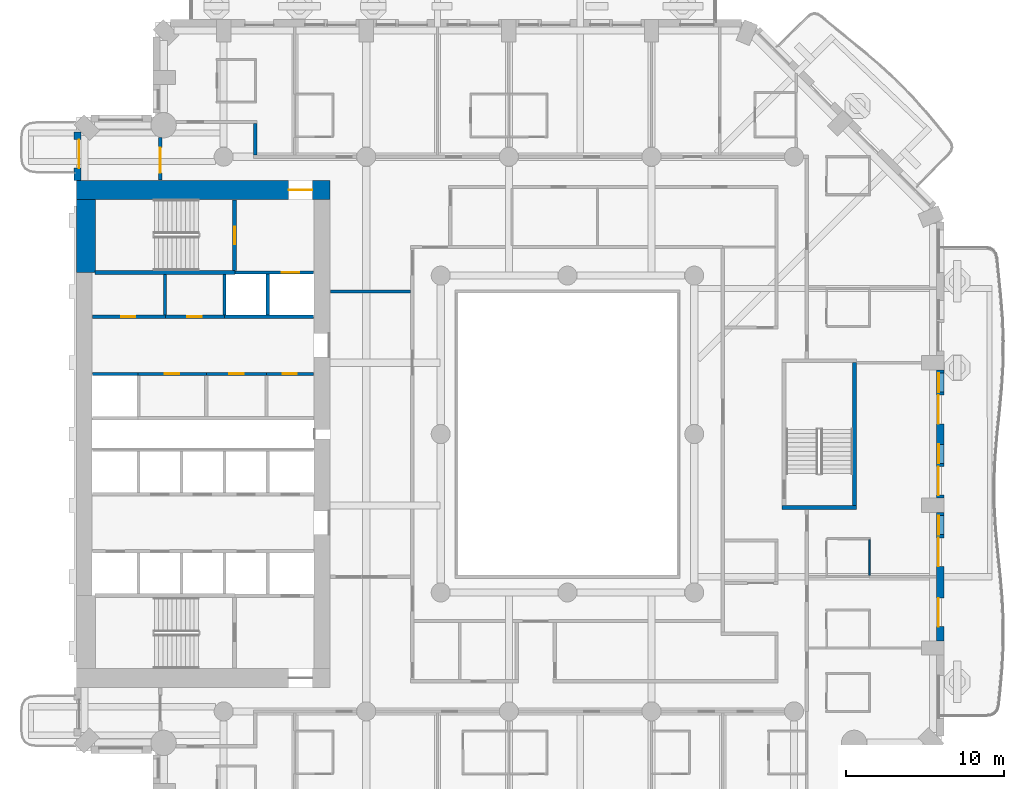
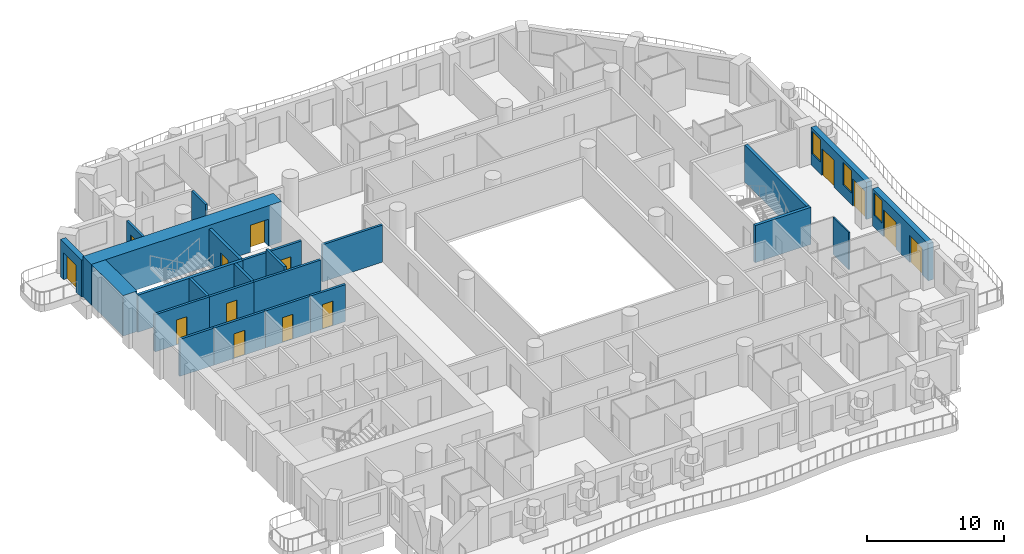
# One storey, part 7 of 20: 24 walls, 14 doors, 3 windows, 17 openings.
"""IFC4 building model written with IfcOpenShell, lengths in metres."""

from ifc_helpers import new_model, si_unit, direction, frame, frame_2d, origin, place, context, subcontext, project, spatial, rectangle, extrude, material, layer, layer_set, type_object, element, fill, save


model = new_model("IFC4")

# Units and contexts
model_context = context("Model", 3, precision=1e-05, world=origin(), true_north=direction((0.0, 1.0)))
body_context = subcontext(model_context, "Body", "Model", "MODEL_VIEW")
ifc_project = project(units=[si_unit("LENGTHUNIT", "METRE"), si_unit("AREAUNIT", "SQUARE_METRE"), si_unit("VOLUMEUNIT", "CUBIC_METRE"), si_unit("PLANEANGLEUNIT", "RADIAN"), si_unit("MASSUNIT", "GRAM", prefix="KILO")], contexts=[model_context])

# Site, building, storey
site_placement = place(None, origin())
site = spatial("IfcSite", under=ifc_project, at=site_placement, CompositionType="ELEMENT")
building_placement = place(site_placement, origin())
building = spatial("IfcBuilding", under=site, at=building_placement, Name="Cypress Arch Tower", CompositionType="ELEMENT")
storey_placement = place(building_placement, frame((0.0, 0.0, 91.5)))
storey = spatial("IfcBuildingStorey", under=building, at=storey_placement, Name="L17", CompositionType="ELEMENT", Elevation=91.5)

# Wall, opening, door
ifc_material_1 = material(Name="Brick (red buff blend)", Category="masonry")
ifc_layer_1 = layer(ifc_material_1, 0.449951171875)
ifc_layer_set_1 = layer_set([ifc_layer_1], Name="Brick pier and spandrel wall BW450")
wall_type_1 = type_object("IfcWallType", Name="Brick pier and spandrel wall BW450", PredefinedType="SOLIDWALL", material=ifc_layer_set_1)
wall_1_placement = place(storey_placement, frame((-29.925048828125, 19.063720703125, 0.0), z_axis=(0.0, 0.0, 1.0), x_axis=(0.0, -1.0, 0.0)))
wall_1 = element("IfcWall", 1, at=wall_1_placement, inside=storey, type_object=wall_type_1, Name="Brick wall L17 A00.0", PredefinedType="SOLIDWALL", context=body_context, shape_type="SweptSolid", body=[
    extrude(rectangle(XDim=3.063720703125, YDim=0.449951171875, at=frame_2d((1.53173828125, 0.0))), origin(), (0.0, 0.0, 1.0), 3.300048828125),
])
opening_1_placement = place(wall_1_placement, frame((0.481689453125, 0.0, 0.0)))
opening_1 = element("IfcOpeningElement", 2, at=opening_1_placement, cuts=wall_1, Name="Opening D-L17-A00.0.1", PredefinedType="OPENING", context=body_context, shape_type="SweptSolid", body=[
    extrude(rectangle(XDim=1.800048828125, YDim=2.39990234375, at=frame_2d((0.89990234375, 1.199951171875))), frame((0.0, 0.23486328125, 0.0), z_axis=(0.0, -1.0, 0.0), x_axis=(1.0, 0.0, 0.0)), (0.0, 0.0, 1.0), 0.469970703125),
])
ifc_material_2 = material(Name="Anodised aluminium, bronze finish, laminated low-emissivity double glazing, large-missile impact rated", Category="aluminium")
door_type_1 = type_object("IfcDoorType", Name="Balcony sliding door 1800x2400", OperationType="SLIDING_TO_LEFT", PredefinedType="DOOR", material=ifc_material_2)
door_1_placement = place(opening_1_placement, origin())
door_1 = element("IfcDoor", 3, at=door_1_placement, inside=storey, type_object=door_type_1, Name="Balcony door L17 A00.0.1", OperationType="SLIDING_TO_LEFT", OverallHeight=2.39990234375, OverallWidth=1.800048828125, PredefinedType="DOOR", context=body_context, shape_type="SweptSolid", body=[
    extrude(rectangle(XDim=1.800048828125, YDim=2.39990234375, at=frame_2d((0.89990234375, 1.199951171875))), frame((0.0, 0.1298828125, 0.0), z_axis=(0.0, -1.0, 0.0), x_axis=(1.0, 0.0, 0.0)), (0.0, 0.0, 1.0), 0.050048828125),
])
fill(opening_1, door_1)

# Wall, openings, doors, window
wall_2_placement = place(storey_placement, frame((24.52490234375, -13.050048828125, 0.0), z_axis=(0.0, 0.0, 1.0), x_axis=(0.0, 1.0, 0.0)))
wall_2 = element("IfcWall", 4, at=wall_2_placement, inside=storey, type_object=wall_type_1, Name="Brick wall L17 A06.1", PredefinedType="SOLIDWALL", context=body_context, shape_type="SweptSolid", body=[
    extrude(rectangle(XDim=8.10009765625, YDim=0.449951171875, at=frame_2d((4.050048828125, 0.0))), origin(), (0.0, 0.0, 1.0), 3.300048828125),
])
opening_2_placement = place(wall_2_placement, frame((0.89990234375, 0.0, 0.0)))
opening_2 = element("IfcOpeningElement", 5, at=opening_2_placement, cuts=wall_2, Name="Opening D-L17-A06.1.1", PredefinedType="OPENING", context=body_context, shape_type="SweptSolid", body=[
    extrude(rectangle(XDim=1.800048828125, YDim=2.39990234375, at=frame_2d((0.89990234375, 1.199951171875))), frame((0.0, 0.23486328125, 0.0), z_axis=(0.0, -1.0, 0.0), x_axis=(1.0, 0.0, 0.0)), (0.0, 0.0, 1.0), 0.469970703125),
])
opening_3_placement = place(wall_2_placement, frame((4.699951171875, 0.0, 0.0)))
opening_3 = element("IfcOpeningElement", 6, at=opening_3_placement, cuts=wall_2, Name="Opening D-L17-A06.1.2", PredefinedType="OPENING", context=body_context, shape_type="SweptSolid", body=[
    extrude(rectangle(XDim=1.800048828125, YDim=2.39990234375, at=frame_2d((0.89990234375, 1.199951171875))), frame((0.0, 0.23486328125, 0.0), z_axis=(0.0, -1.0, 0.0), x_axis=(1.0, 0.0, 0.0)), (0.0, 0.0, 1.0), 0.469970703125),
])
opening_4_placement = place(wall_2_placement, frame((6.699951171875, 0.0, 1.050048828125)))
opening_4 = element("IfcOpeningElement", 7, at=opening_4_placement, cuts=wall_2, Name="Opening W120HD", PredefinedType="OPENING", context=body_context, shape_type="SweptSolid", body=[
    extrude(rectangle(XDim=1.199951171875, YDim=2.0, at=frame_2d((0.60009765625, 1.0))), frame((0.0, 0.23486328125, 0.0), z_axis=(0.0, -1.0, 0.0), x_axis=(1.0, 0.0, 0.0)), (0.0, 0.0, 1.0), 0.469970703125),
])
door_2_placement = place(opening_2_placement, origin())
door_2 = element("IfcDoor", 8, at=door_2_placement, inside=storey, type_object=door_type_1, Name="Balcony door L17 A06.1.1", OperationType="SLIDING_TO_LEFT", OverallHeight=2.39990234375, OverallWidth=1.800048828125, PredefinedType="DOOR", context=body_context, shape_type="SweptSolid", body=[
    extrude(rectangle(XDim=1.800048828125, YDim=2.39990234375, at=frame_2d((0.89990234375, 1.199951171875))), frame((0.0, 0.1298828125, 0.0), z_axis=(0.0, -1.0, 0.0), x_axis=(1.0, 0.0, 0.0)), (0.0, 0.0, 1.0), 0.050048828125),
])
fill(opening_2, door_2)
door_3_placement = place(opening_3_placement, origin())
door_3 = element("IfcDoor", 9, at=door_3_placement, inside=storey, type_object=door_type_1, Name="Balcony door L17 A06.1.2", OperationType="SLIDING_TO_LEFT", OverallHeight=2.39990234375, OverallWidth=1.800048828125, PredefinedType="DOOR", context=body_context, shape_type="SweptSolid", body=[
    extrude(rectangle(XDim=1.800048828125, YDim=2.39990234375, at=frame_2d((0.89990234375, 1.199951171875))), frame((0.0, 0.1298828125, 0.0), z_axis=(0.0, -1.0, 0.0), x_axis=(1.0, 0.0, 0.0)), (0.0, 0.0, 1.0), 0.050048828125),
])
fill(opening_3, door_3)
ifc_material_3 = material(Name="Anodised aluminium, bronze finish, laminated low-emissivity double glazing, large-missile impact rated", Category="aluminium")
window_type = type_object("IfcWindowType", Name="Window Hotel 1200x2000 debris-rated", PartitioningType="SINGLE_PANEL", PredefinedType="WINDOW", material=ifc_material_3)
window_1_placement = place(opening_4_placement, origin())
window_1 = element("IfcWindow", 10, at=window_1_placement, inside=storey, type_object=window_type, Name="Window L17 A06.1.2", OverallHeight=2.0, OverallWidth=1.199951171875, PartitioningType="SINGLE_PANEL", PredefinedType="WINDOW", context=body_context, shape_type="SweptSolid", body=[
    extrude(rectangle(XDim=1.199951171875, YDim=2.0, at=frame_2d((0.60009765625, 1.0))), frame((0.0, 0.135009765625, 0.0), z_axis=(0.0, -1.0, 0.0), x_axis=(1.0, 0.0, 0.0)), (0.0, 0.0, 1.0), 0.06005859375),
])
fill(opening_4, window_1)

# Wall, openings, doors, windows
wall_3_placement = place(storey_placement, frame((24.52490234375, -4.050048828125, 0.0), z_axis=(0.0, 0.0, 1.0), x_axis=(0.0, 1.0, 0.0)))
wall_3 = element("IfcWall", 11, at=wall_3_placement, inside=storey, type_object=wall_type_1, Name="Brick wall L17 A06.2", PredefinedType="SOLIDWALL", context=body_context, shape_type="SweptSolid", body=[
    extrude(rectangle(XDim=8.10009765625, YDim=0.449951171875, at=frame_2d((4.050048828125, 0.0))), origin(), (0.0, 0.0, 1.0), 3.300048828125),
])
opening_5_placement = place(wall_3_placement, frame((0.199951171875, 0.0, 0.0)))
opening_5 = element("IfcOpeningElement", 12, at=opening_5_placement, cuts=wall_3, Name="Opening D-L17-A06.2.1", PredefinedType="OPENING", context=body_context, shape_type="SweptSolid", body=[
    extrude(rectangle(XDim=1.800048828125, YDim=2.39990234375, at=frame_2d((0.89990234375, 1.199951171875))), frame((0.0, 0.23486328125, 0.0), z_axis=(0.0, -1.0, 0.0), x_axis=(1.0, 0.0, 0.0)), (0.0, 0.0, 1.0), 0.469970703125),
])
opening_6_placement = place(wall_3_placement, frame((2.199951171875, 0.0, 1.050048828125)))
opening_6 = element("IfcOpeningElement", 13, at=opening_6_placement, cuts=wall_3, Name="Opening W120HD", PredefinedType="OPENING", context=body_context, shape_type="SweptSolid", body=[
    extrude(rectangle(XDim=1.199951171875, YDim=2.0, at=frame_2d((0.60009765625, 1.0))), frame((0.0, 0.23486328125, 0.0), z_axis=(0.0, -1.0, 0.0), x_axis=(1.0, 0.0, 0.0)), (0.0, 0.0, 1.0), 0.469970703125),
])
opening_7_placement = place(wall_3_placement, frame((4.699951171875, 0.0, 0.0)))
opening_7 = element("IfcOpeningElement", 14, at=opening_7_placement, cuts=wall_3, Name="Opening D-L17-A06.2.2", PredefinedType="OPENING", context=body_context, shape_type="SweptSolid", body=[
    extrude(rectangle(XDim=1.800048828125, YDim=2.39990234375, at=frame_2d((0.89990234375, 1.199951171875))), frame((0.0, 0.23486328125, 0.0), z_axis=(0.0, -1.0, 0.0), x_axis=(1.0, 0.0, 0.0)), (0.0, 0.0, 1.0), 0.469970703125),
])
opening_8_placement = place(wall_3_placement, frame((6.699951171875, 0.0, 1.050048828125)))
opening_8 = element("IfcOpeningElement", 15, at=opening_8_placement, cuts=wall_3, Name="Opening W120HD", PredefinedType="OPENING", context=body_context, shape_type="SweptSolid", body=[
    extrude(rectangle(XDim=1.199951171875, YDim=2.0, at=frame_2d((0.60009765625, 1.0))), frame((0.0, 0.23486328125, 0.0), z_axis=(0.0, -1.0, 0.0), x_axis=(1.0, 0.0, 0.0)), (0.0, 0.0, 1.0), 0.469970703125),
])
door_4_placement = place(opening_5_placement, origin())
door_4 = element("IfcDoor", 16, at=door_4_placement, inside=storey, type_object=door_type_1, Name="Balcony door L17 A06.2.1", OperationType="SLIDING_TO_LEFT", OverallHeight=2.39990234375, OverallWidth=1.800048828125, PredefinedType="DOOR", context=body_context, shape_type="SweptSolid", body=[
    extrude(rectangle(XDim=1.800048828125, YDim=2.39990234375, at=frame_2d((0.89990234375, 1.199951171875))), frame((0.0, 0.1298828125, 0.0), z_axis=(0.0, -1.0, 0.0), x_axis=(1.0, 0.0, 0.0)), (0.0, 0.0, 1.0), 0.050048828125),
])
fill(opening_5, door_4)
door_5_placement = place(opening_7_placement, origin())
door_5 = element("IfcDoor", 17, at=door_5_placement, inside=storey, type_object=door_type_1, Name="Balcony door L17 A06.2.2", OperationType="SLIDING_TO_LEFT", OverallHeight=2.39990234375, OverallWidth=1.800048828125, PredefinedType="DOOR", context=body_context, shape_type="SweptSolid", body=[
    extrude(rectangle(XDim=1.800048828125, YDim=2.39990234375, at=frame_2d((0.89990234375, 1.199951171875))), frame((0.0, 0.1298828125, 0.0), z_axis=(0.0, -1.0, 0.0), x_axis=(1.0, 0.0, 0.0)), (0.0, 0.0, 1.0), 0.050048828125),
])
fill(opening_7, door_5)
window_2_placement = place(opening_6_placement, origin())
window_2 = element("IfcWindow", 18, at=window_2_placement, inside=storey, type_object=window_type, Name="Window L17 A06.2.1", OverallHeight=2.0, OverallWidth=1.199951171875, PartitioningType="SINGLE_PANEL", PredefinedType="WINDOW", context=body_context, shape_type="SweptSolid", body=[
    extrude(rectangle(XDim=1.199951171875, YDim=2.0, at=frame_2d((0.60009765625, 1.0))), frame((0.0, 0.135009765625, 0.0), z_axis=(0.0, -1.0, 0.0), x_axis=(1.0, 0.0, 0.0)), (0.0, 0.0, 1.0), 0.06005859375),
])
fill(opening_6, window_2)
window_3_placement = place(opening_8_placement, origin())
window_3 = element("IfcWindow", 19, at=window_3_placement, inside=storey, type_object=window_type, Name="Window L17 A06.2.2", OverallHeight=2.0, OverallWidth=1.199951171875, PartitioningType="SINGLE_PANEL", PredefinedType="WINDOW", context=body_context, shape_type="SweptSolid", body=[
    extrude(rectangle(XDim=1.199951171875, YDim=2.0, at=frame_2d((0.60009765625, 1.0))), frame((0.0, 0.135009765625, 0.0), z_axis=(0.0, -1.0, 0.0), x_axis=(1.0, 0.0, 0.0)), (0.0, 0.0, 1.0), 0.06005859375),
])
fill(opening_8, window_3)

# Wall, opening, door
ifc_material_4 = material(Name="Concrete C80/95", Category="concrete")
ifc_layer_2 = layer(ifc_material_4, 1.199951171875)
ifc_layer_set_2 = layer_set([ifc_layer_2], Name="Core wall CW1200 C80/95")
wall_type_2 = type_object("IfcWallType", Name="Core wall CW1200 C80/95", PredefinedType="SHEAR", material=ifc_layer_set_2)
wall_4_placement = place(storey_placement, frame((-30.0, 15.39990234375, 0.0), z_axis=(0.0, 0.0, 1.0), x_axis=(1.0, 0.0, 0.0)))
wall_4 = element("IfcWall", 20, at=wall_4_placement, inside=storey, type_object=wall_type_2, Name="Core wall", PredefinedType="SHEAR", context=body_context, shape_type="SweptSolid", body=[
    extrude(rectangle(XDim=16.0, YDim=1.199951171875, at=frame_2d((8.0, 0.0))), origin(), (0.0, 0.0, 1.0), 3.60009765625),
])
opening_9_placement = place(wall_4_placement, frame((13.39990234375, 0.0, 0.0)))
opening_9 = element("IfcOpeningElement", 21, at=opening_9_placement, cuts=wall_4, Name="Opening D07", PredefinedType="OPENING", context=body_context, shape_type="SweptSolid", body=[
    extrude(rectangle(XDim=1.5, YDim=2.39990234375, at=frame_2d((0.75, 1.199951171875))), frame((0.0, 0.60986328125, 0.0), z_axis=(0.0, -1.0, 0.0), x_axis=(1.0, 0.0, 0.0)), (0.0, 0.0, 1.0), 1.219970703125),
])
ifc_material_5 = material(Name="Steel framed glazed door, fire resisting", Category="steel")
door_type_2 = type_object("IfcDoorType", Name="Lobby door D07 1500x2400", OperationType="DOUBLE_DOOR_SINGLE_SWING", PredefinedType="DOOR", material=ifc_material_5)
door_6_placement = place(opening_9_placement, origin())
door_6 = element("IfcDoor", 22, at=door_6_placement, inside=storey, type_object=door_type_2, Name="Lobby door", OperationType="DOUBLE_DOOR_SINGLE_SWING", OverallHeight=2.39990234375, OverallWidth=1.5, PredefinedType="DOOR", context=body_context, shape_type="SweptSolid", body=[
    extrude(rectangle(XDim=1.5, YDim=2.39990234375, at=frame_2d((0.75, 1.199951171875))), frame((0.0, 0.02490234375, 0.0), z_axis=(0.0, -1.0, 0.0), x_axis=(1.0, 0.0, 0.0)), (0.0, 0.0, 1.0), 0.050048828125),
])
fill(opening_9, door_6)

# Wall
wall_5_placement = place(storey_placement, frame((-29.39990234375, 10.199951171875, 0.0), z_axis=(0.0, 0.0, 1.0), x_axis=(0.0, 1.0, 0.0)))
element("IfcWall", 23, at=wall_5_placement, inside=storey, type_object=wall_type_2, Name="Core wall", PredefinedType="SHEAR", context=body_context, shape_type="SweptSolid", body=[
    extrude(rectangle(XDim=4.60009765625, YDim=1.199951171875, at=frame_2d((2.300048828125, 0.0))), origin(), (0.0, 0.0, 1.0), 3.60009765625),
])

# Wall, opening, door
ifc_material_6 = material(Name="Concrete blockwork, plastered, rated", Category="masonry")
ifc_layer_3 = layer(ifc_material_6, 0.199951171875)
ifc_layer_set_3 = layer_set([ifc_layer_3], Name="Corridor wall FW200")
wall_type_3 = type_object("IfcWallType", Name="Corridor wall FW200", PredefinedType="PARTITIONING", material=ifc_layer_set_3)
wall_6_placement = place(storey_placement, frame((-26.10009765625, 3.800048828125, 0.0), z_axis=(0.0, 0.0, 1.0), x_axis=(1.0, 0.0, 0.0)))
wall_6 = element("IfcWall", 24, at=wall_6_placement, inside=storey, type_object=wall_type_3, Name="Corridor wall", PredefinedType="PARTITIONING", context=body_context, shape_type="SweptSolid", body=[
    extrude(rectangle(XDim=4.320068359375, YDim=0.199951171875, at=frame_2d((2.16015625, 0.0))), origin(), (0.0, 0.0, 1.0), 3.300048828125),
])
opening_10_placement = place(wall_6_placement, frame((1.699951171875, 0.0, 0.0)))
opening_10 = element("IfcOpeningElement", 25, at=opening_10_placement, cuts=wall_6, Name="Opening D05", PredefinedType="OPENING", context=body_context, shape_type="SweptSolid", body=[
    extrude(rectangle(XDim=0.89990234375, YDim=2.199951171875, at=frame_2d((0.449951171875, 1.10009765625))), frame((0.0, 0.10986328125, 0.0), z_axis=(0.0, -1.0, 0.0), x_axis=(1.0, 0.0, 0.0)), (0.0, 0.0, 1.0), 0.219970703125),
])
ifc_material_7 = material(Name="Timber flush door", Category="wood")
door_type_3 = type_object("IfcDoorType", Name="Service door D05 900x2200", OperationType="SINGLE_SWING_LEFT", PredefinedType="DOOR", material=ifc_material_7)
door_7_placement = place(opening_10_placement, origin())
door_7 = element("IfcDoor", 26, at=door_7_placement, inside=storey, type_object=door_type_3, Name="Service door", OperationType="SINGLE_SWING_RIGHT", OverallHeight=2.199951171875, OverallWidth=0.89990234375, PredefinedType="DOOR", context=body_context, shape_type="SweptSolid", body=[
    extrude(rectangle(XDim=0.89990234375, YDim=2.199951171875, at=frame_2d((0.449951171875, 1.10009765625))), frame((0.0, 0.02490234375, 0.0), z_axis=(0.0, -1.0, 0.0), x_axis=(1.0, 0.0, 0.0)), (0.0, 0.0, 1.0), 0.050048828125),
])
fill(opening_10, door_7)

wall_7_placement = place(storey_placement, frame((-24.699951171875, 16.030029296875, 0.0), z_axis=(0.0, 0.0, 1.0), x_axis=(0.0, 1.0, 0.0)))
wall_7 = element("IfcWall", 27, at=wall_7_placement, inside=storey, type_object=wall_type_3, Name="Corridor wall", PredefinedType="PARTITIONING", context=body_context, shape_type="SweptSolid", body=[
    extrude(rectangle(XDim=2.670166015625, YDim=0.199951171875, at=frame_2d((1.3349609375, 0.0))), origin(), (0.0, 0.0, 1.0), 3.300048828125),
])
opening_11_placement = place(wall_7_placement, frame((0.449951171875, 0.0, 0.0)))
opening_11 = element("IfcOpeningElement", 28, at=opening_11_placement, cuts=wall_7, Name="Opening D10", PredefinedType="OPENING", context=body_context, shape_type="SweptSolid", body=[
    extrude(rectangle(XDim=1.60009765625, YDim=2.39990234375, at=frame_2d((0.800048828125, 1.199951171875))), frame((0.0, 0.10986328125, 0.0), z_axis=(0.0, -1.0, 0.0), x_axis=(1.0, 0.0, 0.0)), (0.0, 0.0, 1.0), 0.219970703125),
])
ifc_material_8 = material(Name="Black aluminium glazed door", Category="aluminium")
door_type_4 = type_object("IfcDoorType", Name="Amenity door D10 1600x2400", OperationType="DOUBLE_DOOR_SINGLE_SWING", PredefinedType="DOOR", material=ifc_material_8)
door_8_placement = place(opening_11_placement, origin())
door_8 = element("IfcDoor", 29, at=door_8_placement, inside=storey, type_object=door_type_4, Name="Amenity door", OperationType="DOUBLE_DOOR_SINGLE_SWING", OverallHeight=2.39990234375, OverallWidth=1.60009765625, PredefinedType="DOOR", context=body_context, shape_type="SweptSolid", body=[
    extrude(rectangle(XDim=1.60009765625, YDim=2.39990234375, at=frame_2d((0.800048828125, 1.199951171875))), frame((0.0, 0.02490234375, 0.0), z_axis=(0.0, -1.0, 0.0), x_axis=(1.0, 0.0, 0.0)), (0.0, 0.0, 1.0), 0.050048828125),
])
fill(opening_11, door_8)

wall_8_placement = place(storey_placement, frame((-24.3798828125, 7.39990234375, 0.0), z_axis=(0.0, 0.0, 1.0), x_axis=(1.0, 0.0, 0.0)))
wall_8 = element("IfcWall", 30, at=wall_8_placement, inside=storey, type_object=wall_type_3, Name="Corridor wall", PredefinedType="PARTITIONING", context=body_context, shape_type="SweptSolid", body=[
    extrude(rectangle(XDim=3.739990234375, YDim=0.199951171875, at=frame_2d((1.8701171875, 0.0))), origin(), (0.0, 0.0, 1.0), 3.300048828125),
])
opening_12_placement = place(wall_8_placement, frame((1.39990234375, 0.0, 0.0)))
opening_12 = element("IfcOpeningElement", 31, at=opening_12_placement, cuts=wall_8, Name="Opening D05", PredefinedType="OPENING", context=body_context, shape_type="SweptSolid", body=[
    extrude(rectangle(XDim=0.89990234375, YDim=2.199951171875, at=frame_2d((0.449951171875, 1.10009765625))), frame((0.0, 0.10986328125, 0.0), z_axis=(0.0, -1.0, 0.0), x_axis=(1.0, 0.0, 0.0)), (0.0, 0.0, 1.0), 0.219970703125),
])
door_9_placement = place(opening_12_placement, origin())
door_9 = element("IfcDoor", 32, at=door_9_placement, inside=storey, type_object=door_type_3, Name="Service door", OperationType="SINGLE_SWING_LEFT", OverallHeight=2.199951171875, OverallWidth=0.89990234375, PredefinedType="DOOR", context=body_context, shape_type="SweptSolid", body=[
    extrude(rectangle(XDim=0.89990234375, YDim=2.199951171875, at=frame_2d((0.449951171875, 1.10009765625))), frame((0.0, 0.02490234375, 0.0), z_axis=(0.0, -1.0, 0.0), x_axis=(1.0, 0.0, 0.0)), (0.0, 0.0, 1.0), 0.050048828125),
])
fill(opening_12, door_9)

# Wall
wall_9_placement = place(storey_placement, frame((-18.699951171875, 17.60009765625, 0.0), z_axis=(0.0, 0.0, 1.0), x_axis=(0.0, 1.0, 0.0)))
element("IfcWall", 33, at=wall_9_placement, inside=storey, type_object=wall_type_3, Name="Corridor wall", PredefinedType="PARTITIONING", context=body_context, shape_type="SweptSolid", body=[
    extrude(rectangle(XDim=2.0, YDim=0.199951171875, at=frame_2d((1.0, 0.0))), origin(), (0.0, 0.0, 1.0), 3.300048828125),
])

# Wall, opening, door
wall_10_placement = place(storey_placement, frame((-17.97998046875, 3.800048828125, 0.0), z_axis=(0.0, 0.0, 1.0), x_axis=(1.0, 0.0, 0.0)))
wall_10 = element("IfcWall", 34, at=wall_10_placement, inside=storey, type_object=wall_type_3, Name="Corridor wall", PredefinedType="PARTITIONING", context=body_context, shape_type="SweptSolid", body=[
    extrude(rectangle(XDim=2.949951171875, YDim=0.199951171875, at=frame_2d((1.47509765625, 0.0))), origin(), (0.0, 0.0, 1.0), 3.300048828125),
])
opening_13_placement = place(wall_10_placement, frame((1.0, 0.0, 0.0)))
opening_13 = element("IfcOpeningElement", 35, at=opening_13_placement, cuts=wall_10, Name="Opening D05", PredefinedType="OPENING", context=body_context, shape_type="SweptSolid", body=[
    extrude(rectangle(XDim=0.89990234375, YDim=2.199951171875, at=frame_2d((0.449951171875, 1.10009765625))), frame((0.0, 0.10986328125, 0.0), z_axis=(0.0, -1.0, 0.0), x_axis=(1.0, 0.0, 0.0)), (0.0, 0.0, 1.0), 0.219970703125),
])
door_10_placement = place(opening_13_placement, origin())
door_10 = element("IfcDoor", 36, at=door_10_placement, inside=storey, type_object=door_type_3, Name="Service door", OperationType="SINGLE_SWING_RIGHT", OverallHeight=2.199951171875, OverallWidth=0.89990234375, PredefinedType="DOOR", context=body_context, shape_type="SweptSolid", body=[
    extrude(rectangle(XDim=0.89990234375, YDim=2.199951171875, at=frame_2d((0.449951171875, 1.10009765625))), frame((0.0, 0.02490234375, 0.0), z_axis=(0.0, -1.0, 0.0), x_axis=(1.0, 0.0, 0.0)), (0.0, 0.0, 1.0), 0.050048828125),
])
fill(opening_13, door_10)

# Wall
wall_11_placement = place(storey_placement, frame((-13.969970703125, 9.0, 0.0), z_axis=(0.0, 0.0, 1.0), x_axis=(1.0, 0.0, 0.0)))
element("IfcWall", 37, at=wall_11_placement, inside=storey, type_object=wall_type_3, Name="Corridor wall", PredefinedType="PARTITIONING", context=body_context, shape_type="SweptSolid", body=[
    extrude(rectangle(XDim=5.070068359375, YDim=0.199951171875, at=frame_2d((2.53515625, 0.0))), origin(), (0.0, 0.0, 1.0), 3.300048828125),
])

# Wall, opening, door
ifc_material_9 = material(Name="Reinforced blockwork, plastered, rated", Category="masonry")
ifc_layer_4 = layer(ifc_material_9, 0.199951171875)
ifc_layer_set_4 = layer_set([ifc_layer_4], Name="Plant and riser wall PL200")
wall_type_4 = type_object("IfcWallType", Name="Plant and riser wall PL200", PredefinedType="PARTITIONING", material=ifc_layer_set_4)
wall_12_placement = place(storey_placement, frame((-28.969970703125, 7.39990234375, 0.0), z_axis=(0.0, 0.0, 1.0), x_axis=(1.0, 0.0, 0.0)))
wall_12 = element("IfcWall", 38, at=wall_12_placement, inside=storey, type_object=wall_type_4, Name="Plant and riser wall", PredefinedType="PARTITIONING", context=body_context, shape_type="SweptSolid", body=[
    extrude(rectangle(XDim=4.590087890625, YDim=0.199951171875, at=frame_2d((2.294921875, 0.0))), origin(), (0.0, 0.0, 1.0), 3.300048828125),
])
opening_14_placement = place(wall_12_placement, frame((1.800048828125, 0.0, 0.0)))
opening_14 = element("IfcOpeningElement", 39, at=opening_14_placement, cuts=wall_12, Name="Opening D05", PredefinedType="OPENING", context=body_context, shape_type="SweptSolid", body=[
    extrude(rectangle(XDim=0.89990234375, YDim=2.199951171875, at=frame_2d((0.449951171875, 1.10009765625))), frame((0.0, 0.10986328125, 0.0), z_axis=(0.0, -1.0, 0.0), x_axis=(1.0, 0.0, 0.0)), (0.0, 0.0, 1.0), 0.219970703125),
])
door_11_placement = place(opening_14_placement, origin())
door_11 = element("IfcDoor", 40, at=door_11_placement, inside=storey, type_object=door_type_3, Name="Service door", OperationType="SINGLE_SWING_RIGHT", OverallHeight=2.199951171875, OverallWidth=0.89990234375, PredefinedType="DOOR", context=body_context, shape_type="SweptSolid", body=[
    extrude(rectangle(XDim=0.89990234375, YDim=2.199951171875, at=frame_2d((0.449951171875, 1.10009765625))), frame((0.0, 0.02490234375, 0.0), z_axis=(0.0, -1.0, 0.0), x_axis=(1.0, 0.0, 0.0)), (0.0, 0.0, 1.0), 0.050048828125),
])
fill(opening_14, door_11)

# Wall
wall_13_placement = place(storey_placement, frame((-24.39990234375, 7.5, 0.0), z_axis=(0.0, 0.0, 1.0), x_axis=(0.0, 1.0, 0.0)))
element("IfcWall", 41, at=wall_13_placement, inside=storey, type_object=wall_type_4, Name="Plant and riser wall", PredefinedType="PARTITIONING", context=body_context, shape_type="SweptSolid", body=[
    extrude(rectangle(XDim=2.574951171875, YDim=0.199951171875, at=frame_2d((1.28759765625, 0.0))), origin(), (0.0, 0.0, 1.0), 3.300048828125),
])

# Wall, opening, door
wall_14_placement = place(storey_placement, frame((-21.780029296875, 3.800048828125, 0.0), z_axis=(0.0, 0.0, 1.0), x_axis=(1.0, 0.0, 0.0)))
wall_14 = element("IfcWall", 42, at=wall_14_placement, inside=storey, type_object=wall_type_4, Name="Plant and riser wall", PredefinedType="PARTITIONING", context=body_context, shape_type="SweptSolid", body=[
    extrude(rectangle(XDim=3.800048828125, YDim=0.199951171875, at=frame_2d((1.89990234375, 0.0))), origin(), (0.0, 0.0, 1.0), 3.300048828125),
])
opening_15_placement = place(wall_14_placement, frame((1.449951171875, 0.0, 0.0)))
opening_15 = element("IfcOpeningElement", 43, at=opening_15_placement, cuts=wall_14, Name="Opening D05", PredefinedType="OPENING", context=body_context, shape_type="SweptSolid", body=[
    extrude(rectangle(XDim=0.89990234375, YDim=2.199951171875, at=frame_2d((0.449951171875, 1.10009765625))), frame((0.0, 0.10986328125, 0.0), z_axis=(0.0, -1.0, 0.0), x_axis=(1.0, 0.0, 0.0)), (0.0, 0.0, 1.0), 0.219970703125),
])
door_12_placement = place(opening_15_placement, origin())
door_12 = element("IfcDoor", 44, at=door_12_placement, inside=storey, type_object=door_type_3, Name="Service door", OperationType="SINGLE_SWING_LEFT", OverallHeight=2.199951171875, OverallWidth=0.89990234375, PredefinedType="DOOR", context=body_context, shape_type="SweptSolid", body=[
    extrude(rectangle(XDim=0.89990234375, YDim=2.199951171875, at=frame_2d((0.449951171875, 1.10009765625))), frame((0.0, 0.02490234375, 0.0), z_axis=(0.0, -1.0, 0.0), x_axis=(1.0, 0.0, 0.0)), (0.0, 0.0, 1.0), 0.050048828125),
])
fill(opening_15, door_12)

# Walls
ifc_material_10 = material(Name="Concrete C50/60", Category="concrete")
ifc_layer_5 = layer(ifc_material_10, 0.199951171875)
ifc_layer_set_5 = layer_set([ifc_layer_5], Name="Shaft wall SH200")
wall_type_5 = type_object("IfcWallType", Name="Shaft wall SH200", PredefinedType="SHEAR", material=ifc_layer_set_5)
wall_15_placement = place(storey_placement, frame((-28.969970703125, 3.800048828125, 0.0), z_axis=(0.0, 0.0, 1.0), x_axis=(1.0, 0.0, 0.0)))
element("IfcWall", 45, at=wall_15_placement, inside=storey, type_object=wall_type_5, Name="Shaft wall", PredefinedType="SHEAR", context=body_context, shape_type="SweptSolid", body=[
    extrude(rectangle(XDim=2.869873046875, YDim=0.199951171875, at=frame_2d((1.43505859375, 0.0))), origin(), (0.0, 0.0, 1.0), 3.300048828125),
])
wall_16_placement = place(storey_placement, frame((-20.639892578125, 7.5, 0.0), z_axis=(0.0, 0.0, 1.0), x_axis=(0.0, 1.0, 0.0)))
element("IfcWall", 46, at=wall_16_placement, inside=storey, type_object=wall_type_5, Name="Shaft wall", PredefinedType="SHEAR", context=body_context, shape_type="SweptSolid", body=[
    extrude(rectangle(XDim=2.574951171875, YDim=0.199951171875, at=frame_2d((1.28759765625, 0.0))), origin(), (0.0, 0.0, 1.0), 3.300048828125),
])
wall_17_placement = place(storey_placement, frame((-20.639892578125, 7.39990234375, 0.0), z_axis=(0.0, 0.0, 1.0), x_axis=(1.0, 0.0, 0.0)))
element("IfcWall", 47, at=wall_17_placement, inside=storey, type_object=wall_type_5, Name="Shaft wall", PredefinedType="SHEAR", context=body_context, shape_type="SweptSolid", body=[
    extrude(rectangle(XDim=5.60986328125, YDim=0.199951171875, at=frame_2d((2.804931640625, 0.0))), origin(), (0.0, 0.0, 1.0), 3.300048828125),
])

# Wall, opening, door
wall_18_placement = place(storey_placement, frame((-19.97998046875, 10.199951171875, 0.0), z_axis=(0.0, 0.0, 1.0), x_axis=(1.0, 0.0, 0.0)))
wall_18 = element("IfcWall", 48, at=wall_18_placement, inside=storey, type_object=wall_type_5, Name="Shaft wall", PredefinedType="SHEAR", context=body_context, shape_type="SweptSolid", body=[
    extrude(rectangle(XDim=4.949951171875, YDim=0.199951171875, at=frame_2d((2.47509765625, 0.0))), origin(), (0.0, 0.0, 1.0), 3.300048828125),
])
opening_16_placement = place(wall_18_placement, frame((2.949951171875, 0.0, 0.0)))
opening_16 = element("IfcOpeningElement", 49, at=opening_16_placement, cuts=wall_18, Name="Opening LD-FL2", PredefinedType="OPENING", context=body_context, shape_type="SweptSolid", body=[
    extrude(rectangle(XDim=1.10009765625, YDim=2.199951171875, at=frame_2d((0.550048828125, 1.10009765625))), frame((0.0, 0.10986328125, 0.0), z_axis=(0.0, -1.0, 0.0), x_axis=(1.0, 0.0, 0.0)), (0.0, 0.0, 1.0), 0.219970703125),
])
ifc_material_11 = material(Name="Stainless steel centre-opening landing door, rated", Category="steel")
door_type_5 = type_object("IfcDoorType", Name="Lift landing door LD 1100x2200", OperationType="DOUBLE_DOOR_SLIDING", PredefinedType="DOOR", material=ifc_material_11)
door_13_placement = place(opening_16_placement, origin())
door_13 = element("IfcDoor", 50, at=door_13_placement, inside=storey, type_object=door_type_5, Name="Lift landing doors FL2", OperationType="DOUBLE_DOOR_SLIDING", OverallHeight=2.199951171875, OverallWidth=1.10009765625, PredefinedType="DOOR", context=body_context, shape_type="SweptSolid", body=[
    extrude(rectangle(XDim=1.10009765625, YDim=2.199951171875, at=frame_2d((0.550048828125, 1.10009765625))), frame((0.0, 0.02490234375, 0.0), z_axis=(0.0, -1.0, 0.0), x_axis=(1.0, 0.0, 0.0)), (0.0, 0.0, 1.0), 0.050048828125),
])
fill(opening_16, door_13)

# Walls
wall_19_placement = place(storey_placement, frame((-17.919921875, 7.5, 0.0), z_axis=(0.0, 0.0, 1.0), x_axis=(0.0, 1.0, 0.0)))
element("IfcWall", 51, at=wall_19_placement, inside=storey, type_object=wall_type_5, Name="Shaft wall", PredefinedType="SHEAR", context=body_context, shape_type="SweptSolid", body=[
    extrude(rectangle(XDim=2.60009765625, YDim=0.199951171875, at=frame_2d((1.300048828125, 0.0))), origin(), (0.0, 0.0, 1.0), 3.60009765625),
])
ifc_material_12 = material(Name="Concrete C50/60", Category="concrete")
ifc_layer_6 = layer(ifc_material_12, 0.25)
ifc_layer_set_6 = layer_set([ifc_layer_6], Name="Stair enclosure wall SW250")
wall_type_6 = type_object("IfcWallType", Name="Stair enclosure wall SW250", PredefinedType="SHEAR", material=ifc_layer_set_6)
wall_20_placement = place(storey_placement, frame((-28.81005859375, 10.199951171875, 0.0), z_axis=(0.0, 0.0, 1.0), x_axis=(1.0, 0.0, 0.0)))
element("IfcWall", 52, at=wall_20_placement, inside=storey, type_object=wall_type_6, Name="Stair enclosure wall", PredefinedType="SHEAR", context=body_context, shape_type="SweptSolid", body=[
    extrude(rectangle(XDim=8.830078125, YDim=0.25, at=frame_2d((4.4150390625, 0.0))), origin(), (0.0, 0.0, 1.0), 3.300048828125),
])

# Wall, opening, door
wall_21_placement = place(storey_placement, frame((-20.0, 10.324951171875, 0.0), z_axis=(0.0, 0.0, 1.0), x_axis=(0.0, 1.0, 0.0)))
wall_21 = element("IfcWall", 53, at=wall_21_placement, inside=storey, type_object=wall_type_6, Name="Stair enclosure wall", PredefinedType="SHEAR", context=body_context, shape_type="SweptSolid", body=[
    extrude(rectangle(XDim=4.445068359375, YDim=0.25, at=frame_2d((2.22265625, 0.0))), origin(), (0.0, 0.0, 1.0), 3.300048828125),
])
opening_17_placement = place(wall_21_placement, frame((1.64990234375, 0.0, 0.0)))
opening_17 = element("IfcOpeningElement", 54, at=opening_17_placement, cuts=wall_21, Name="Opening D06", PredefinedType="OPENING", context=body_context, shape_type="SweptSolid", body=[
    extrude(rectangle(XDim=1.10009765625, YDim=2.199951171875, at=frame_2d((0.550048828125, 1.10009765625))), frame((0.0, 0.135009765625, 0.0), z_axis=(0.0, -1.0, 0.0), x_axis=(1.0, 0.0, 0.0)), (0.0, 0.0, 1.0), 0.27001953125),
])
ifc_material_13 = material(Name="Steel door, fire resisting, panic bar", Category="steel")
door_type_6 = type_object("IfcDoorType", Name="Stair door D06 1100x2200", OperationType="SINGLE_SWING_LEFT", PredefinedType="DOOR", material=ifc_material_13)
door_14_placement = place(opening_17_placement, origin())
door_14 = element("IfcDoor", 55, at=door_14_placement, inside=storey, type_object=door_type_6, Name="Stair door", OperationType="SINGLE_SWING_LEFT", OverallHeight=2.199951171875, OverallWidth=1.10009765625, PredefinedType="DOOR", context=body_context, shape_type="SweptSolid", body=[
    extrude(rectangle(XDim=1.10009765625, YDim=2.199951171875, at=frame_2d((0.550048828125, 1.10009765625))), frame((0.0, 0.02490234375, 0.0), z_axis=(0.0, -1.0, 0.0), x_axis=(1.0, 0.0, 0.0)), (0.0, 0.0, 1.0), 0.050048828125),
])
fill(opening_17, door_14)

# Walls
wall_22_placement = place(storey_placement, frame((14.550048828125, -4.625, 0.0), z_axis=(0.0, 0.0, 1.0), x_axis=(1.0, 0.0, 0.0)))
element("IfcWall", 56, at=wall_22_placement, inside=storey, type_object=wall_type_6, Name="Stair enclosure wall", PredefinedType="SHEAR", context=body_context, shape_type="SweptSolid", body=[
    extrude(rectangle(XDim=4.699951171875, YDim=0.25, at=frame_2d((2.35009765625, 0.0))), origin(), (0.0, 0.0, 1.0), 3.300048828125),
])
wall_23_placement = place(storey_placement, frame((19.125, -4.5, 0.0), z_axis=(0.0, 0.0, 1.0), x_axis=(0.0, 1.0, 0.0)))
element("IfcWall", 57, at=wall_23_placement, inside=storey, type_object=wall_type_6, Name="Stair enclosure wall", PredefinedType="SHEAR", context=body_context, shape_type="SweptSolid", body=[
    extrude(rectangle(XDim=9.0, YDim=0.25, at=frame_2d((4.5, 0.0))), origin(), (0.0, 0.0, 1.0), 3.300048828125),
])
ifc_material_14 = material(Name="Moisture resistant board on steel studs, tiled", Category="steel")
ifc_layer_7 = layer(ifc_material_14, 0.10009765625)
ifc_layer_set_7 = layer_set([ifc_layer_7], Name="Wet wall PW100")
wall_type_7 = type_object("IfcWallType", Name="Wet wall PW100", PredefinedType="PARTITIONING", material=ifc_layer_set_7)
wall_24_placement = place(storey_placement, frame((20.050048828125, -8.925048828125, 0.0), z_axis=(0.0, 0.0, 1.0), x_axis=(0.000430200003, 0.999999907464, 0.0)))
element("IfcWall", 58, at=wall_24_placement, inside=storey, type_object=wall_type_7, Name="Wet wall", PredefinedType="PARTITIONING", context=body_context, shape_type="SweptSolid", body=[
    extrude(rectangle(XDim=2.27001953125, YDim=0.10009765625, at=frame_2d((1.135009765625, 0.0))), origin(), (0.0, 0.0, 1.0), 3.300048828125),
])

save(model, "model.ifc")
